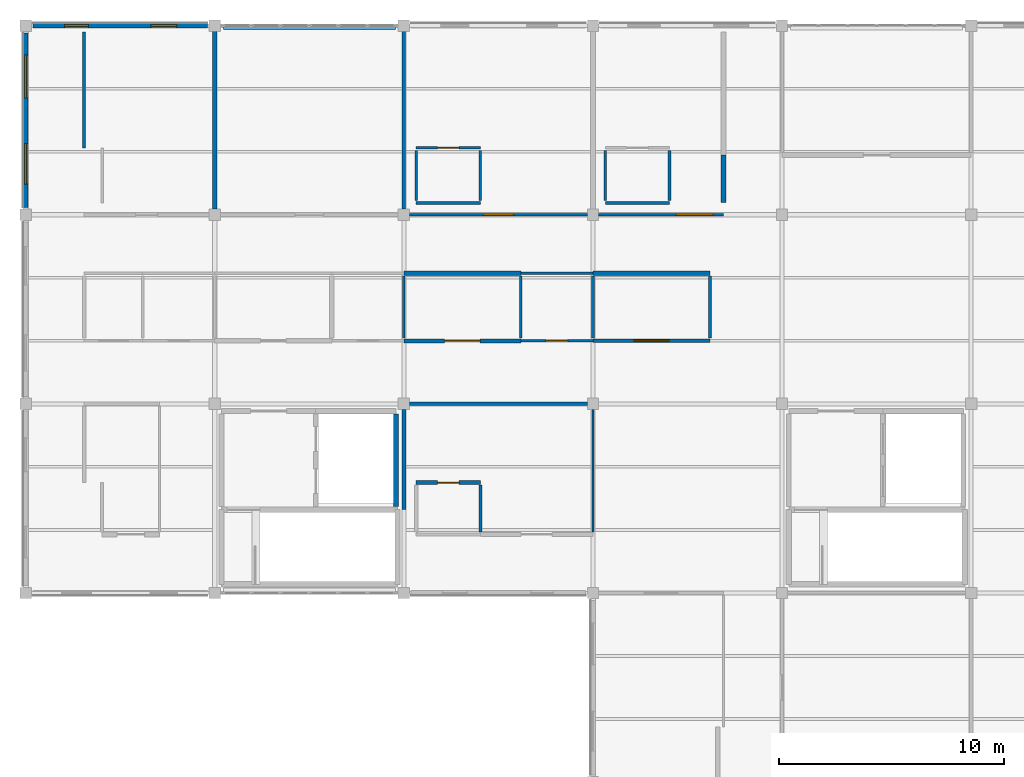
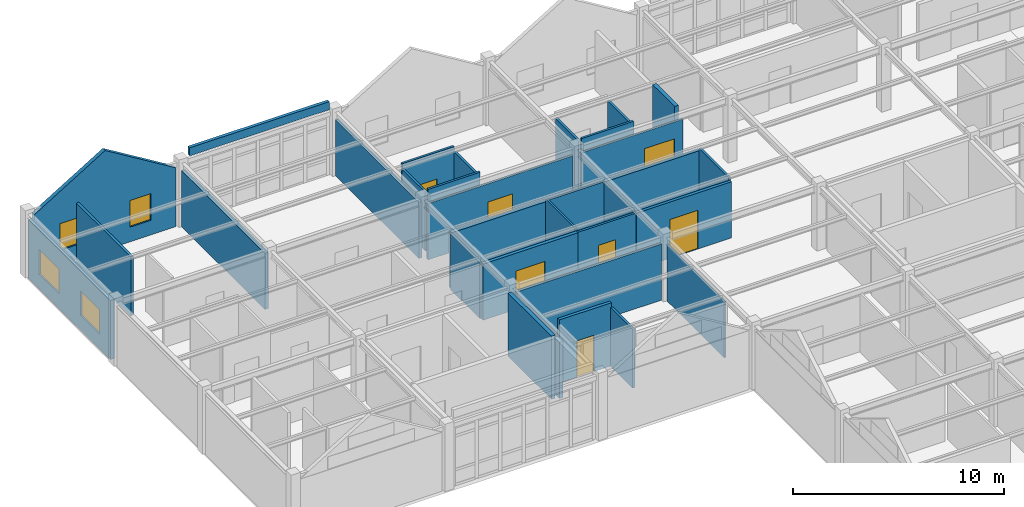
# One storey, part 41 of 45: 32 walls, 7 doors, 4 windows, 11 openings.
"""IFC4 building model written with IfcOpenShell, lengths in metres."""

from ifc_helpers import new_model, si_unit, direction, frame, frame_2d, origin, place, context, subcontext, project, spatial, polyline, rectangle, outline, extrude, material, layer, layer_set, type_object, element, fill, save


model = new_model("IFC4")

# Units and contexts
model_context = context("Model", 3, precision=1e-05, world=origin(), true_north=direction((0.0, 1.0)))
body_context = subcontext(model_context, "Body", "Model", "MODEL_VIEW")
ifc_project = project(units=[si_unit("LENGTHUNIT", "METRE"), si_unit("AREAUNIT", "SQUARE_METRE"), si_unit("VOLUMEUNIT", "CUBIC_METRE"), si_unit("PLANEANGLEUNIT", "RADIAN"), si_unit("MASSUNIT", "GRAM", prefix="KILO")], contexts=[model_context])

# Site, building, storey
site_placement = place(None, origin())
site = spatial("IfcSite", under=ifc_project, at=site_placement, CompositionType="ELEMENT")
building_placement = place(site_placement, origin())
building = spatial("IfcBuilding", under=site, at=building_placement, Name="Bramfleet General Hospital", CompositionType="ELEMENT")
storey_placement = place(building_placement, frame((0.0, 0.0, 30.300048828125)))
storey = spatial("IfcBuildingStorey", under=building, at=storey_placement, Name="L07", CompositionType="ELEMENT", Elevation=30.300048828125)

# Wall, openings, windows
ifc_material_1 = material(Name="Structural timber GL28h", Category="wood")
ifc_layer_1 = layer(ifc_material_1, 0.219970703125, Name="WT-EW-10")
ifc_layer_set_1 = layer_set([ifc_layer_1], Name="Structural timber GL28h")
wall_type_1 = type_object("IfcWallType", Name="WT-EW-10", PredefinedType="SOLIDWALL", material=ifc_layer_set_1)
wall_1_placement = place(storey_placement, frame((67.199951171875, 109.52490234375, 0.0), z_axis=(0.0, 0.0, 1.0), x_axis=(0.0, 1.0, 0.0)))
wall_1 = element("IfcWall", 1, at=wall_1_placement, inside=storey, type_object=wall_type_1, Name="L07 Exterior Wall 435", PredefinedType="SOLIDWALL", context=body_context, shape_type="SweptSolid", body=[
    extrude(rectangle(XDim=7.75, YDim=0.219970703125, at=frame_2d((3.875, 0.0))), origin(), (0.0, 0.0, 1.0), 3.419921875),
])
opening_1_placement = place(wall_1_placement, frame((1.03759765625, 0.0, 0.85009765625)))
opening_1 = element("IfcOpeningElement", 2, at=opening_1_placement, cuts=wall_1, Name="Opening W-19", PredefinedType="OPENING", context=body_context, shape_type="SweptSolid", body=[
    extrude(rectangle(XDim=1.800048828125, YDim=1.419921875, at=frame_2d((0.89990234375, 0.7099609375))), frame((0.0, 0.119873046875, 0.0), z_axis=(0.0, -1.0, 0.0), x_axis=(1.0, 0.0, 0.0)), (0.0, 0.0, 1.0), 0.239990234375),
])
opening_2_placement = place(wall_1_placement, frame((4.862548828125, 0.0, 0.85009765625)))
opening_2 = element("IfcOpeningElement", 3, at=opening_2_placement, cuts=wall_1, Name="Opening W-20", PredefinedType="OPENING", context=body_context, shape_type="SweptSolid", body=[
    extrude(rectangle(XDim=1.89990234375, YDim=1.419921875, at=frame_2d((0.949951171875, 0.7099609375))), frame((0.0, 0.119873046875, 0.0), z_axis=(0.0, -1.0, 0.0), x_axis=(1.0, 0.0, 0.0)), (0.0, 0.0, 1.0), 0.239990234375),
])
ifc_material_2 = material(Name="Anodised aluminium and low-E triple glazing", Category="aluminium")
window_type_1 = type_object("IfcWindowType", Name="WIN-W-19", PartitioningType="SINGLE_PANEL", PredefinedType="WINDOW", material=ifc_material_2)
window_1_placement = place(opening_1_placement, origin())
window_1 = element("IfcWindow", 4, at=window_1_placement, inside=storey, type_object=window_type_1, Name="L07 Facade Window WIN-L07-435-1", OverallHeight=1.419921875, OverallWidth=1.800048828125, PartitioningType="SINGLE_PANEL", PredefinedType="WINDOW", context=body_context, shape_type="SweptSolid", body=[
    extrude(rectangle(XDim=1.800048828125, YDim=1.419921875, at=frame_2d((0.89990234375, 0.7099609375))), frame((0.0, 0.030029296875, 0.0), z_axis=(0.0, -1.0, 0.0), x_axis=(1.0, 0.0, 0.0)), (0.0, 0.0, 1.0), 0.06005859375),
])
fill(opening_1, window_1)
window_type_2 = type_object("IfcWindowType", Name="WIN-W-20", PartitioningType="SINGLE_PANEL", PredefinedType="WINDOW", material=ifc_material_2)
window_2_placement = place(opening_2_placement, origin())
window_2 = element("IfcWindow", 5, at=window_2_placement, inside=storey, type_object=window_type_2, Name="L07 Facade Window WIN-L07-435-2", OverallHeight=1.419921875, OverallWidth=1.89990234375, PartitioningType="SINGLE_PANEL", PredefinedType="WINDOW", context=body_context, shape_type="SweptSolid", body=[
    extrude(rectangle(XDim=1.89990234375, YDim=1.419921875, at=frame_2d((0.949951171875, 0.7099609375))), frame((0.0, 0.030029296875, 0.0), z_axis=(0.0, -1.0, 0.0), x_axis=(1.0, 0.0, 0.0)), (0.0, 0.0, 1.0), 0.06005859375),
])
fill(opening_2, window_2)

wall_2_placement = place(storey_placement, frame((67.52490234375, 117.60009765625, 0.0), z_axis=(0.0, 0.0, 1.0), x_axis=(1.0, 0.0, 0.0)))
wall_2 = element("IfcWall", 6, at=wall_2_placement, inside=storey, type_object=wall_type_1, Name="L07 Exterior Wall 436", PredefinedType="SOLIDWALL", context=body_context, shape_type="SweptSolid", body=[
    extrude(outline(polyline([(0.0, 0.0), (7.75, 0.0), (7.75, 3.39990234375), (3.875, 5.76025390625), (0.0, 3.39990234375), (0.0, 0.0)])), frame((0.0, 0.10986328125, 0.0), z_axis=(0.0, -1.0, 0.0), x_axis=(1.0, 0.0, 0.0)), (0.0, 0.0, 1.0), 0.219970703125),
])
opening_3_placement = place(wall_2_placement, frame((1.41259765625, 0.0, 0.85009765625)))
opening_3 = element("IfcOpeningElement", 7, at=opening_3_placement, cuts=wall_2, Name="Opening W-21", PredefinedType="OPENING", context=body_context, shape_type="SweptSolid", body=[
    extrude(rectangle(XDim=1.050048828125, YDim=1.5400390625, at=frame_2d((0.52490234375, 0.77001953125))), frame((0.0, 0.119873046875, 0.0), z_axis=(0.0, -1.0, 0.0), x_axis=(1.0, 0.0, 0.0)), (0.0, 0.0, 1.0), 0.239990234375),
])
opening_4_placement = place(wall_2_placement, frame((5.237548828125, 0.0, 0.85009765625)))
opening_4 = element("IfcOpeningElement", 8, at=opening_4_placement, cuts=wall_2, Name="Opening W-22", PredefinedType="OPENING", context=body_context, shape_type="SweptSolid", body=[
    extrude(rectangle(XDim=1.14990234375, YDim=1.5400390625, at=frame_2d((0.574951171875, 0.77001953125))), frame((0.0, 0.119873046875, 0.0), z_axis=(0.0, -1.0, 0.0), x_axis=(1.0, 0.0, 0.0)), (0.0, 0.0, 1.0), 0.239990234375),
])
window_type_3 = type_object("IfcWindowType", Name="WIN-W-21", PartitioningType="SINGLE_PANEL", PredefinedType="WINDOW", material=ifc_material_2)
window_3_placement = place(opening_3_placement, origin())
window_3 = element("IfcWindow", 9, at=window_3_placement, inside=storey, type_object=window_type_3, Name="L07 Facade Window WIN-L07-436-1", OverallHeight=1.5400390625, OverallWidth=1.050048828125, PartitioningType="SINGLE_PANEL", PredefinedType="WINDOW", context=body_context, shape_type="SweptSolid", body=[
    extrude(rectangle(XDim=1.050048828125, YDim=1.5400390625, at=frame_2d((0.52490234375, 0.77001953125))), frame((0.0, 0.030029296875, 0.0), z_axis=(0.0, -1.0, 0.0), x_axis=(1.0, 0.0, 0.0)), (0.0, 0.0, 1.0), 0.06005859375),
])
fill(opening_3, window_3)
window_type_4 = type_object("IfcWindowType", Name="WIN-W-22", PartitioningType="SINGLE_PANEL", PredefinedType="WINDOW", material=ifc_material_2)
window_4_placement = place(opening_4_placement, origin())
window_4 = element("IfcWindow", 10, at=window_4_placement, inside=storey, type_object=window_type_4, Name="L07 Facade Window WIN-L07-436-2", OverallHeight=1.5400390625, OverallWidth=1.14990234375, PartitioningType="SINGLE_PANEL", PredefinedType="WINDOW", context=body_context, shape_type="SweptSolid", body=[
    extrude(rectangle(XDim=1.14990234375, YDim=1.5400390625, at=frame_2d((0.574951171875, 0.77001953125))), frame((0.0, 0.030029296875, 0.0), z_axis=(0.0, -1.0, 0.0), x_axis=(1.0, 0.0, 0.0)), (0.0, 0.0, 1.0), 0.06005859375),
])
fill(opening_4, window_4)

# Walls
ifc_material_3 = material(Name="Concrete C35/45", Category="concrete")
ifc_layer_2 = layer(ifc_material_3, 0.219970703125, Name="WT-IW-01")
ifc_layer_set_2 = layer_set([ifc_layer_2], Name="Concrete C35/45")
wall_type_2 = type_object("IfcWallType", Name="WT-IW-01", PredefinedType="PARTITIONING", material=ifc_layer_set_2)
wall_3_placement = place(storey_placement, frame((84.0, 106.60009765625, 0.0), z_axis=(0.0, 0.0, 1.0), x_axis=(1.0, 0.0, 0.0)))
element("IfcWall", 11, at=wall_3_placement, inside=storey, type_object=wall_type_2, Name="L07 Interior Partition IW-L07-4225", PredefinedType="PARTITIONING", context=body_context, shape_type="SweptSolid", body=[
    extrude(rectangle(XDim=5.199951171875, YDim=0.219970703125, at=frame_2d((2.60009765625, 0.0))), origin(), (0.0, 0.0, 1.0), 3.25),
])
wall_4_placement = place(storey_placement, frame((98.199951171875, 109.75, 0.0), z_axis=(0.0, 0.0, 1.0), x_axis=(0.0, 1.0, 0.0)))
element("IfcWall", 12, at=wall_4_placement, inside=storey, type_object=wall_type_2, Name="L07 Interior Partition IW-L07-4285", PredefinedType="PARTITIONING", context=body_context, shape_type="SweptSolid", body=[
    extrude(rectangle(XDim=2.10009765625, YDim=0.219970703125, at=frame_2d((1.050048828125, 0.0))), origin(), (0.0, 0.0, 1.0), 3.64990234375),
])
ifc_layer_3 = layer(ifc_material_3, 0.205078125, Name="WT-IW-02")
ifc_layer_set_3 = layer_set([ifc_layer_3], Name="Concrete C35/45")
wall_type_3 = type_object("IfcWallType", Name="WT-IW-02", PredefinedType="PARTITIONING", material=ifc_layer_set_3)
wall_5_placement = place(storey_placement, frame((83.64990234375, 96.239990234375, 0.0), z_axis=(0.0, 0.0, 1.0), x_axis=(0.0, 1.0, 0.0)))
element("IfcWall", 13, at=wall_5_placement, inside=storey, type_object=wall_type_3, Name="L07 C5 Lift Shaft East Wall", PredefinedType="PARTITIONING", context=body_context, shape_type="SweptSolid", body=[
    extrude(rectangle(XDim=4.1201171875, YDim=0.205078125, at=frame_2d((2.06005859375, 0.0))), origin(), (0.0, 0.0, 1.0), 3.64990234375),
])
wall_6_placement = place(storey_placement, frame((75.60009765625, 109.445068359375, 0.0), z_axis=(0.0, 0.0, 1.0), x_axis=(0.0, 1.0, 0.0)))
element("IfcWall", 14, at=wall_6_placement, inside=storey, type_object=wall_type_3, Name="L07 Interior Partition IW-L07-4250", PredefinedType="PARTITIONING", context=body_context, shape_type="SweptSolid", body=[
    extrude(rectangle(XDim=7.909912109375, YDim=0.205078125, at=frame_2d((3.955078125, 0.0))), origin(), (0.0, 0.0, 1.0), 3.25),
])
ifc_layer_4 = layer(ifc_material_3, 0.18994140625, Name="WT-IW-03")
ifc_layer_set_4 = layer_set([ifc_layer_4], Name="Concrete C35/45")
wall_type_4 = type_object("IfcWallType", Name="WT-IW-03", PredefinedType="PARTITIONING", material=ifc_layer_set_4)
wall_7_placement = place(storey_placement, frame((92.39990234375, 106.60009765625, 0.0), z_axis=(0.0, 0.0, 1.0), x_axis=(1.0, 0.0, 0.0)))
element("IfcWall", 15, at=wall_7_placement, inside=storey, type_object=wall_type_4, Name="L07 Interior Partition IW-L07-4227", PredefinedType="PARTITIONING", context=body_context, shape_type="SweptSolid", body=[
    extrude(rectangle(XDim=5.2001953125, YDim=0.18994140625, at=frame_2d((2.60009765625, 0.0))), origin(), (0.0, 0.0, 1.0), 3.25),
])

# Wall, opening, door
ifc_layer_5 = layer(ifc_material_3, 0.179931640625, Name="WT-IW-04")
ifc_layer_set_5 = layer_set([ifc_layer_5], Name="Concrete C35/45")
wall_type_5 = type_object("IfcWallType", Name="WT-IW-04", PredefinedType="PARTITIONING", material=ifc_layer_set_5)
wall_8_placement = place(storey_placement, frame((84.0, 103.60009765625, 0.0), z_axis=(0.0, 0.0, 1.0), x_axis=(1.0, 0.0, 0.0)))
wall_8 = element("IfcWall", 16, at=wall_8_placement, inside=storey, type_object=wall_type_5, Name="L07 Interior Partition IW-L07-4216", PredefinedType="PARTITIONING", context=body_context, shape_type="SweptSolid", body=[
    extrude(rectangle(XDim=5.199951171875, YDim=0.179931640625, at=frame_2d((2.60009765625, 0.0))), origin(), (0.0, 0.0, 1.0), 3.25),
])
opening_5_placement = place(wall_8_placement, frame((1.81005859375, 0.0, 0.0)))
opening_5 = element("IfcOpeningElement", 17, at=opening_5_placement, cuts=wall_8, Name="Opening D1536", PredefinedType="OPENING", context=body_context, shape_type="SweptSolid", body=[
    extrude(rectangle(XDim=1.580078125, YDim=2.219970703125, at=frame_2d((0.7900390625, 1.10986328125))), frame((0.0, 0.099853515625, 0.0), z_axis=(0.0, -1.0, 0.0), x_axis=(1.0, 0.0, 0.0)), (0.0, 0.0, 1.0), 0.199951171875),
])
ifc_material_4 = material(Name="Stainless steel and acoustic timber leaf", Category="steel")
door_type_1 = type_object("IfcDoorType", Name="DR-D-32", OperationType="NOTDEFINED", PredefinedType="DOOR", material=ifc_material_4)
door_1_placement = place(opening_5_placement, origin())
door_1 = element("IfcDoor", 18, at=door_1_placement, inside=storey, type_object=door_type_1, Name="Flat-Link Nurse Station and Medication Hub L07-1012 Door D1536", OperationType="DOUBLE_SWING_LEFT", OverallHeight=2.219970703125, OverallWidth=1.580078125, PredefinedType="DOOR", context=body_context, shape_type="SweptSolid", body=[
    extrude(rectangle(XDim=1.580078125, YDim=2.219970703125, at=frame_2d((0.7900390625, 1.10986328125))), frame((0.0, 0.02490234375, 0.0), z_axis=(0.0, -1.0, 0.0), x_axis=(1.0, 0.0, 0.0)), (0.0, 0.0, 1.0), 0.050048828125),
])
fill(opening_5, door_1)

# Wall
wall_9_placement = place(storey_placement, frame((84.0, 96.10009765625, 0.0), z_axis=(0.0, 0.0, 1.0), x_axis=(0.0, 1.0, 0.0)))
element("IfcWall", 19, at=wall_9_placement, inside=storey, type_object=wall_type_5, Name="L07 Interior Partition IW-L07-4252", PredefinedType="PARTITIONING", context=body_context, shape_type="SweptSolid", body=[
    extrude(rectangle(XDim=4.454833984375, YDim=0.179931640625, at=frame_2d((2.2275390625, 0.0))), origin(), (0.0, 0.0, 1.0), 3.25),
])

# Wall, opening, door
ifc_material_5 = material(Name="Gypsum plasterboard on acoustic steel studs", Category="steel")
ifc_layer_6 = layer(ifc_material_5, 0.169921875, Name="WT-IW-05")
ifc_layer_set_6 = layer_set([ifc_layer_6], Name="Gypsum plasterboard on acoustic steel studs")
wall_type_6 = type_object("IfcWallType", Name="WT-IW-05", PredefinedType="PARTITIONING", material=ifc_layer_set_6)
wall_10_placement = place(storey_placement, frame((84.550048828125, 97.300048828125, 0.0), z_axis=(0.0, 0.0, 1.0), x_axis=(1.0, 0.0, 0.0)))
wall_10 = element("IfcWall", 20, at=wall_10_placement, inside=storey, type_object=wall_type_6, Name="L07 Interior Partition IW-L07-4205", PredefinedType="PARTITIONING", context=body_context, shape_type="SweptSolid", body=[
    extrude(rectangle(XDim=2.849853515625, YDim=0.169921875, at=frame_2d((1.4248046875, 0.0))), origin(), (0.0, 0.0, 1.0), 3.64990234375),
])
opening_6_placement = place(wall_10_placement, frame((0.949951171875, 0.0, 0.0)))
opening_6 = element("IfcOpeningElement", 21, at=opening_6_placement, cuts=wall_10, Name="Opening D1535", PredefinedType="OPENING", context=body_context, shape_type="SweptSolid", body=[
    extrude(rectangle(XDim=0.949951171875, YDim=2.10009765625, at=frame_2d((0.47509765625, 1.050048828125))), frame((0.0, 0.094970703125, 0.0), z_axis=(0.0, -1.0, 0.0), x_axis=(1.0, 0.0, 0.0)), (0.0, 0.0, 1.0), 0.18994140625),
])
door_type_2 = type_object("IfcDoorType", Name="DR-D-10", OperationType="NOTDEFINED", PredefinedType="DOOR", material=ifc_material_4)
door_2_placement = place(opening_6_placement, origin())
door_2 = element("IfcDoor", 22, at=door_2_placement, inside=storey, type_object=door_type_2, Name="Patient House PH-02 En-Suite Bathroom 1011 Door D1535", OperationType="SINGLE_SWING_LEFT", OverallHeight=2.10009765625, OverallWidth=0.949951171875, PredefinedType="DOOR", context=body_context, shape_type="SweptSolid", body=[
    extrude(rectangle(XDim=0.949951171875, YDim=2.10009765625, at=frame_2d((0.47509765625, 1.050048828125))), frame((0.0, 0.02490234375, 0.0), z_axis=(0.0, -1.0, 0.0), x_axis=(1.0, 0.0, 0.0)), (0.0, 0.0, 1.0), 0.050048828125),
])
fill(opening_6, door_2)

ifc_layer_7 = layer(ifc_material_5, 0.159912109375, Name="WT-IW-06")
ifc_layer_set_7 = layer_set([ifc_layer_7], Name="Gypsum plasterboard on acoustic steel studs")
wall_type_7 = type_object("IfcWallType", Name="WT-IW-06", PredefinedType="PARTITIONING", material=ifc_layer_set_7)
wall_11_placement = place(storey_placement, frame((92.39990234375, 103.60009765625, 0.0), z_axis=(0.0, 0.0, 1.0), x_axis=(1.0, 0.0, 0.0)))
wall_11 = element("IfcWall", 23, at=wall_11_placement, inside=storey, type_object=wall_type_7, Name="L07 Interior Partition IW-L07-4218", PredefinedType="PARTITIONING", context=body_context, shape_type="SweptSolid", body=[
    extrude(rectangle(XDim=5.2001953125, YDim=0.159912109375, at=frame_2d((2.60009765625, 0.0))), origin(), (0.0, 0.0, 1.0), 3.25),
])
opening_7_placement = place(wall_11_placement, frame((1.830078125, 0.0, 0.0)))
opening_7 = element("IfcOpeningElement", 24, at=opening_7_placement, cuts=wall_11, Name="Opening D1553", PredefinedType="OPENING", context=body_context, shape_type="SweptSolid", body=[
    extrude(rectangle(XDim=1.5400390625, YDim=2.239990234375, at=frame_2d((0.77001953125, 1.1201171875))), frame((0.0, 0.08984375, 0.0), z_axis=(0.0, -1.0, 0.0), x_axis=(1.0, 0.0, 0.0)), (0.0, 0.0, 1.0), 0.179931640625),
])
door_type_3 = type_object("IfcDoorType", Name="DR-D-17", OperationType="NOTDEFINED", PredefinedType="DOOR", material=ifc_material_4)
door_3_placement = place(opening_7_placement, origin())
door_3 = element("IfcDoor", 25, at=door_3_placement, inside=storey, type_object=door_type_3, Name="Flat-Link Nurse Station and Medication Hub L07-1112 Door D1553", OperationType="SINGLE_SWING_RIGHT", OverallHeight=2.239990234375, OverallWidth=1.5400390625, PredefinedType="DOOR", context=body_context, shape_type="SweptSolid", body=[
    extrude(rectangle(XDim=1.5400390625, YDim=2.239990234375, at=frame_2d((0.77001953125, 1.1201171875))), frame((0.0, 0.02490234375, 0.0), z_axis=(0.0, -1.0, 0.0), x_axis=(1.0, 0.0, 0.0)), (0.0, 0.0, 1.0), 0.050048828125),
])
fill(opening_7, door_3)

# Walls
wall_12_placement = place(storey_placement, frame((84.0, 109.445068359375, 0.0), z_axis=(0.0, 0.0, 1.0), x_axis=(0.0, 1.0, 0.0)))
element("IfcWall", 26, at=wall_12_placement, inside=storey, type_object=wall_type_7, Name="L07 Interior Partition IW-L07-4254", PredefinedType="PARTITIONING", context=body_context, shape_type="SweptSolid", body=[
    extrude(rectangle(XDim=7.909912109375, YDim=0.159912109375, at=frame_2d((3.955078125, 0.0))), origin(), (0.0, 0.0, 1.0), 3.25),
])
ifc_layer_8 = layer(ifc_material_5, 0.14990234375, Name="WT-IW-07")
ifc_layer_set_8 = layer_set([ifc_layer_8], Name="Gypsum plasterboard on acoustic steel studs")
wall_type_8 = type_object("IfcWallType", Name="WT-IW-07", PredefinedType="PARTITIONING", material=ifc_layer_set_8)
wall_13_placement = place(storey_placement, frame((84.2451171875, 100.800048828125, 0.0), z_axis=(0.0, 0.0, 1.0), x_axis=(1.0, 0.0, 0.0)))
element("IfcWall", 27, at=wall_13_placement, inside=storey, type_object=wall_type_8, Name="L07 Interior Partition IW-L07-4207", PredefinedType="PARTITIONING", context=body_context, shape_type="SweptSolid", body=[
    extrude(rectangle(XDim=7.909912109375, YDim=0.14990234375, at=frame_2d((3.955078125, 0.0))), origin(), (0.0, 0.0, 1.0), 3.25),
])
ifc_layer_9 = layer(ifc_material_5, 0.139892578125, Name="WT-IW-08")
ifc_layer_set_9 = layer_set([ifc_layer_9], Name="Gypsum plasterboard on acoustic steel studs")
wall_type_9 = type_object("IfcWallType", Name="WT-IW-08", PredefinedType="PARTITIONING", material=ifc_layer_set_9)
wall_14_placement = place(storey_placement, frame((69.800048828125, 112.169921875, 0.0), z_axis=(0.0, 0.0, 1.0), x_axis=(0.0, 1.0, 0.0)))
element("IfcWall", 28, at=wall_14_placement, inside=storey, type_object=wall_type_9, Name="L07 Interior Partition IW-L07-4244", PredefinedType="PARTITIONING", context=body_context, shape_type="SweptSolid", body=[
    extrude(rectangle(XDim=5.150146484375, YDim=0.139892578125, at=frame_2d((2.5751953125, 0.0))), origin(), (0.0, 0.0, 1.0), 3.409912109375),
])

# Wall, opening, door
ifc_layer_10 = layer(ifc_material_5, 0.1298828125, Name="WT-IW-09")
ifc_layer_set_10 = layer_set([ifc_layer_10], Name="Gypsum plasterboard on acoustic steel studs")
wall_type_10 = type_object("IfcWallType", Name="WT-IW-09", PredefinedType="PARTITIONING", material=ifc_layer_set_10)
wall_15_placement = place(storey_placement, frame((84.2451171875, 109.199951171875, 0.0), z_axis=(0.0, 0.0, 1.0), x_axis=(1.0, 0.0, 0.0)))
wall_15 = element("IfcWall", 29, at=wall_15_placement, inside=storey, type_object=wall_type_10, Name="L07 Interior Partition IW-L07-4233", PredefinedType="PARTITIONING", context=body_context, shape_type="SweptSolid", body=[
    extrude(rectangle(XDim=7.909912109375, YDim=0.1298828125, at=frame_2d((3.955078125, 0.0))), origin(), (0.0, 0.0, 1.0), 3.25),
])
opening_8_placement = place(wall_15_placement, frame((3.280029296875, 0.0, 0.0)))
opening_8 = element("IfcOpeningElement", 30, at=opening_8_placement, cuts=wall_15, Name="Opening D1538", PredefinedType="OPENING", context=body_context, shape_type="SweptSolid", body=[
    extrude(rectangle(XDim=1.35009765625, YDim=2.199951171875, at=frame_2d((0.675048828125, 1.10009765625))), frame((0.0, 0.074951171875, 0.0), z_axis=(0.0, -1.0, 0.0), x_axis=(1.0, 0.0, 0.0)), (0.0, 0.0, 1.0), 0.14990234375),
])
door_type_4 = type_object("IfcDoorType", Name="DR-D-02", OperationType="NOTDEFINED", PredefinedType="DOOR", material=ifc_material_4)
door_4_placement = place(opening_8_placement, origin())
door_4 = element("IfcDoor", 31, at=door_4_placement, inside=storey, type_object=door_type_4, Name="Gabled Patient House PH-02 Bedroom 1013 Door D1538", OperationType="SINGLE_SWING_LEFT", OverallHeight=2.199951171875, OverallWidth=1.35009765625, PredefinedType="DOOR", context=body_context, shape_type="SweptSolid", body=[
    extrude(rectangle(XDim=1.35009765625, YDim=2.199951171875, at=frame_2d((0.675048828125, 1.10009765625))), frame((0.0, 0.02490234375, 0.0), z_axis=(0.0, -1.0, 0.0), x_axis=(1.0, 0.0, 0.0)), (0.0, 0.0, 1.0), 0.050048828125),
])
fill(opening_8, door_4)

# Wall
wall_16_placement = place(storey_placement, frame((87.39990234375, 95.114990234375, 0.0), z_axis=(0.0, 0.0, 1.0), x_axis=(0.0, 1.0, 0.0)))
element("IfcWall", 32, at=wall_16_placement, inside=storey, type_object=wall_type_10, Name="L07 Interior Partition IW-L07-4257", PredefinedType="PARTITIONING", context=body_context, shape_type="SweptSolid", body=[
    extrude(rectangle(XDim=2.070068359375, YDim=0.1298828125, at=frame_2d((1.03515625, 0.0))), origin(), (0.0, 0.0, 1.0), 3.409912109375),
])

# Wall, opening, door
ifc_layer_11 = layer(ifc_material_5, 0.1201171875, Name="WT-IW-10")
ifc_layer_set_11 = layer_set([ifc_layer_11], Name="Gypsum plasterboard on acoustic steel studs")
wall_type_11 = type_object("IfcWallType", Name="WT-IW-10", PredefinedType="PARTITIONING", material=ifc_layer_set_11)
wall_17_placement = place(storey_placement, frame((89.199951171875, 103.60009765625, 0.0), z_axis=(0.0, 0.0, 1.0), x_axis=(1.0, 0.0, 0.0)))
wall_17 = element("IfcWall", 33, at=wall_17_placement, inside=storey, type_object=wall_type_11, Name="L07 Interior Partition IW-L07-4217", PredefinedType="PARTITIONING", context=body_context, shape_type="SweptSolid", body=[
    extrude(rectangle(XDim=3.199951171875, YDim=0.1201171875, at=frame_2d((1.60009765625, 0.0))), origin(), (0.0, 0.0, 1.0), 3.25),
])
opening_9_placement = place(wall_17_placement, frame((1.125, 0.0, 0.0)))
opening_9 = element("IfcOpeningElement", 34, at=opening_9_placement, cuts=wall_17, Name="Opening D1537", PredefinedType="OPENING", context=body_context, shape_type="SweptSolid", body=[
    extrude(rectangle(XDim=0.949951171875, YDim=2.10009765625, at=frame_2d((0.47509765625, 1.050048828125))), frame((0.0, 0.070068359375, 0.0), z_axis=(0.0, -1.0, 0.0), x_axis=(1.0, 0.0, 0.0)), (0.0, 0.0, 1.0), 0.14013671875),
])
door_5_placement = place(opening_9_placement, origin())
door_5 = element("IfcDoor", 35, at=door_5_placement, inside=storey, type_object=door_type_2, Name="Level 07 Accessible and Staff WC 1012 Door D1537", OperationType="SINGLE_SWING_LEFT", OverallHeight=2.10009765625, OverallWidth=0.949951171875, PredefinedType="DOOR", context=body_context, shape_type="SweptSolid", body=[
    extrude(rectangle(XDim=0.949951171875, YDim=2.10009765625, at=frame_2d((0.47509765625, 1.050048828125))), frame((0.0, 0.02490234375, 0.0), z_axis=(0.0, -1.0, 0.0), x_axis=(1.0, 0.0, 0.0)), (0.0, 0.0, 1.0), 0.050048828125),
])
fill(opening_9, door_5)

# Wall
wall_18_placement = place(storey_placement, frame((89.199951171875, 106.60009765625, 0.0), z_axis=(0.0, 0.0, 1.0), x_axis=(1.0, 0.0, 0.0)))
element("IfcWall", 36, at=wall_18_placement, inside=storey, type_object=wall_type_11, Name="L07 Interior Partition IW-L07-4226", PredefinedType="PARTITIONING", context=body_context, shape_type="SweptSolid", body=[
    extrude(rectangle(XDim=3.199951171875, YDim=0.1201171875, at=frame_2d((1.60009765625, 0.0))), origin(), (0.0, 0.0, 1.0), 3.25),
])

# Wall, opening, door
wall_19_placement = place(storey_placement, frame((92.64501953125, 109.199951171875, 0.0), z_axis=(0.0, 0.0, 1.0), x_axis=(1.0, 0.0, 0.0)))
wall_19 = element("IfcWall", 37, at=wall_19_placement, inside=storey, type_object=wall_type_11, Name="L07 Interior Partition IW-L07-4234", PredefinedType="PARTITIONING", context=body_context, shape_type="SweptSolid", body=[
    extrude(rectangle(XDim=5.554931640625, YDim=0.1201171875, at=frame_2d((2.77734375, 0.0))), origin(), (0.0, 0.0, 1.0), 3.25),
])
opening_10_placement = place(wall_19_placement, frame((3.44580078125, 0.0, 0.0)))
opening_10 = element("IfcOpeningElement", 38, at=opening_10_placement, cuts=wall_19, Name="Opening D1554", PredefinedType="OPENING", context=body_context, shape_type="SweptSolid", body=[
    extrude(rectangle(XDim=1.639892578125, YDim=2.280029296875, at=frame_2d((0.81982421875, 1.14013671875))), frame((0.0, 0.070068359375, 0.0), z_axis=(0.0, -1.0, 0.0), x_axis=(1.0, 0.0, 0.0)), (0.0, 0.0, 1.0), 0.14013671875),
])
door_type_5 = type_object("IfcDoorType", Name="DR-D-18", OperationType="NOTDEFINED", PredefinedType="DOOR", material=ifc_material_4)
door_6_placement = place(opening_10_placement, origin())
door_6 = element("IfcDoor", 39, at=door_6_placement, inside=storey, type_object=door_type_5, Name="Gabled Patient House PH-03 Bedroom 1113 Door D1554", OperationType="DOUBLE_SWING_LEFT", OverallHeight=2.280029296875, OverallWidth=1.639892578125, PredefinedType="DOOR", context=body_context, shape_type="SweptSolid", body=[
    extrude(rectangle(XDim=1.639892578125, YDim=2.280029296875, at=frame_2d((0.81982421875, 1.14013671875))), frame((0.0, 0.02490234375, 0.0), z_axis=(0.0, -1.0, 0.0), x_axis=(1.0, 0.0, 0.0)), (0.0, 0.0, 1.0), 0.050048828125),
])
fill(opening_10, door_6)

# Walls
wall_20_placement = place(storey_placement, frame((84.550048828125, 109.719970703125, 0.0), z_axis=(0.0, 0.0, 1.0), x_axis=(1.0, 0.0, 0.0)))
element("IfcWall", 40, at=wall_20_placement, inside=storey, type_object=wall_type_11, Name="L07 Interior Partition IW-L07-4235", PredefinedType="PARTITIONING", context=body_context, shape_type="SweptSolid", body=[
    extrude(rectangle(XDim=2.849853515625, YDim=0.1201171875, at=frame_2d((1.4248046875, 0.0))), origin(), (0.0, 0.0, 1.0), 3.64990234375),
])
wall_21_placement = place(storey_placement, frame((92.949951171875, 109.719970703125, 0.0), z_axis=(0.0, 0.0, 1.0), x_axis=(1.0, 0.0, 0.0)))
element("IfcWall", 41, at=wall_21_placement, inside=storey, type_object=wall_type_11, Name="L07 Interior Partition IW-L07-4236", PredefinedType="PARTITIONING", context=body_context, shape_type="SweptSolid", body=[
    extrude(rectangle(XDim=2.85009765625, YDim=0.1201171875, at=frame_2d((1.425048828125, 0.0))), origin(), (0.0, 0.0, 1.0), 3.64990234375),
])

# Wall, opening, door
wall_22_placement = place(storey_placement, frame((84.550048828125, 112.169921875, 0.0), z_axis=(0.0, 0.0, 1.0), x_axis=(1.0, 0.0, 0.0)))
wall_22 = element("IfcWall", 42, at=wall_22_placement, inside=storey, type_object=wall_type_11, Name="L07 Interior Partition IW-L07-4240", PredefinedType="PARTITIONING", context=body_context, shape_type="SweptSolid", body=[
    extrude(rectangle(XDim=2.849853515625, YDim=0.1201171875, at=frame_2d((1.4248046875, 0.0))), origin(), (0.0, 0.0, 1.0), 3.64990234375),
])
opening_11_placement = place(wall_22_placement, frame((0.949951171875, 0.0, 0.0)))
opening_11 = element("IfcOpeningElement", 43, at=opening_11_placement, cuts=wall_22, Name="Opening D1539", PredefinedType="OPENING", context=body_context, shape_type="SweptSolid", body=[
    extrude(rectangle(XDim=0.949951171875, YDim=2.10009765625, at=frame_2d((0.47509765625, 1.050048828125))), frame((0.0, 0.070068359375, 0.0), z_axis=(0.0, -1.0, 0.0), x_axis=(1.0, 0.0, 0.0)), (0.0, 0.0, 1.0), 0.14013671875),
])
door_7_placement = place(opening_11_placement, origin())
door_7 = element("IfcDoor", 44, at=door_7_placement, inside=storey, type_object=door_type_2, Name="Patient House PH-02 En-Suite Bathroom 1013 Door D1539", OperationType="SINGLE_SWING_LEFT", OverallHeight=2.10009765625, OverallWidth=0.949951171875, PredefinedType="DOOR", context=body_context, shape_type="SweptSolid", body=[
    extrude(rectangle(XDim=0.949951171875, YDim=2.10009765625, at=frame_2d((0.47509765625, 1.050048828125))), frame((0.0, 0.02490234375, 0.0), z_axis=(0.0, -1.0, 0.0), x_axis=(1.0, 0.0, 0.0)), (0.0, 0.0, 1.0), 0.050048828125),
])
fill(opening_11, door_7)

# Walls
wall_23_placement = place(storey_placement, frame((84.0, 103.715087890625, 0.0), z_axis=(0.0, 0.0, 1.0), x_axis=(0.0, 1.0, 0.0)))
element("IfcWall", 45, at=wall_23_placement, inside=storey, type_object=wall_type_11, Name="L07 Interior Partition IW-L07-4253", PredefinedType="PARTITIONING", context=body_context, shape_type="SweptSolid", body=[
    extrude(rectangle(XDim=2.77001953125, YDim=0.1201171875, at=frame_2d((1.385009765625, 0.0))), origin(), (0.0, 0.0, 1.0), 3.25),
])
for number, where, z_axis, x_axis, name in (
    (46, (84.550048828125, 109.8349609375, 0.0), (0.0, 0.0, 1.0), (0.0, 1.0, 0.0), "L07 Interior Partition IW-L07-4256"),
    (47, (87.39990234375, 109.8349609375, 0.0), (0.0, 0.0, 1.0), (0.0, 1.0, 0.0), "L07 Interior Partition IW-L07-4258"),
):
    element("IfcWall", number, at=place(storey_placement, frame(where, z_axis=z_axis, x_axis=x_axis)), inside=storey, type_object=wall_type_11, Name=name, PredefinedType="PARTITIONING", context=body_context, shape_type="SweptSolid", body=[
        extrude(rectangle(XDim=2.219970703125, YDim=0.1201171875, at=frame_2d((1.10986328125, 0.0))), origin(), (0.0, 0.0, 1.0), 3.409912109375),
    ])
wall_24_placement = place(storey_placement, frame((92.39990234375, 103.715087890625, 0.0), z_axis=(0.0, 0.0, 1.0), x_axis=(0.0, 1.0, 0.0)))
element("IfcWall", 48, at=wall_24_placement, inside=storey, type_object=wall_type_11, Name="L07 Interior Partition IW-L07-4261", PredefinedType="PARTITIONING", context=body_context, shape_type="SweptSolid", body=[
    extrude(rectangle(XDim=2.77001953125, YDim=0.1201171875, at=frame_2d((1.385009765625, 0.0))), origin(), (0.0, 0.0, 1.0), 3.25),
])
for number, where, z_axis, x_axis, name in (
    (49, (92.949951171875, 109.8349609375, 0.0), (0.0, 0.0, 1.0), (0.0, 1.0, 0.0), "L07 Interior Partition IW-L07-4265"),
    (50, (95.800048828125, 109.8349609375, 0.0), (0.0, 0.0, 1.0), (0.0, 1.0, 0.0), "L07 Interior Partition IW-L07-4268"),
):
    element("IfcWall", number, at=place(storey_placement, frame(where, z_axis=z_axis, x_axis=x_axis)), inside=storey, type_object=wall_type_11, Name=name, PredefinedType="PARTITIONING", context=body_context, shape_type="SweptSolid", body=[
        extrude(rectangle(XDim=2.219970703125, YDim=0.1201171875, at=frame_2d((1.10986328125, 0.0))), origin(), (0.0, 0.0, 1.0), 3.409912109375),
    ])
wall_25_placement = place(storey_placement, frame((97.60009765625, 103.715087890625, 0.0), z_axis=(0.0, 0.0, 1.0), x_axis=(0.0, 1.0, 0.0)))
element("IfcWall", 51, at=wall_25_placement, inside=storey, type_object=wall_type_11, Name="L07 Interior Partition IW-L07-4270", PredefinedType="PARTITIONING", context=body_context, shape_type="SweptSolid", body=[
    extrude(rectangle(XDim=2.77001953125, YDim=0.1201171875, at=frame_2d((1.385009765625, 0.0))), origin(), (0.0, 0.0, 1.0), 3.409912109375),
])
ifc_layer_12 = layer(ifc_material_5, 0.112060546875, Name="WT-IW-11")
ifc_layer_set_12 = layer_set([ifc_layer_12], Name="Gypsum plasterboard on acoustic steel studs")
wall_type_12 = type_object("IfcWallType", Name="WT-IW-11", PredefinedType="PARTITIONING", material=ifc_layer_set_12)
wall_26_placement = place(storey_placement, frame((89.199951171875, 103.715087890625, 0.0), z_axis=(0.0, 0.0, 1.0), x_axis=(0.0, 1.0, 0.0)))
element("IfcWall", 52, at=wall_26_placement, inside=storey, type_object=wall_type_12, Name="L07 Interior Partition IW-L07-4259", PredefinedType="PARTITIONING", context=body_context, shape_type="SweptSolid", body=[
    extrude(rectangle(XDim=2.77001953125, YDim=0.112060546875, at=frame_2d((1.385009765625, 0.0))), origin(), (0.0, 0.0, 1.0), 3.409912109375),
])
ifc_layer_13 = layer(ifc_material_5, 0.10009765625, Name="WT-IW-12")
ifc_layer_set_13 = layer_set([ifc_layer_13], Name="Gypsum plasterboard on acoustic steel studs")
wall_type_13 = type_object("IfcWallType", Name="WT-IW-12", PredefinedType="PARTITIONING", material=ifc_layer_set_13)
wall_27_placement = place(storey_placement, frame((92.39990234375, 95.114990234375, 0.0), z_axis=(0.0, 0.0, 1.0), x_axis=(0.0, 1.0, 0.0)))
element("IfcWall", 53, at=wall_27_placement, inside=storey, type_object=wall_type_13, Name="L07 Interior Partition IW-L07-4260", PredefinedType="PARTITIONING", context=body_context, shape_type="SweptSolid", body=[
    extrude(rectangle(XDim=5.43994140625, YDim=0.10009765625, at=frame_2d((2.719970703125, 0.0))), origin(), (0.0, 0.0, 1.0), 3.25),
])
ifc_material_6 = material(Name="Precast concrete C40/50", Category="concrete")
ifc_layer_14 = layer(ifc_material_6, 0.169921875, Name="WT-PW-03")
ifc_layer_set_14 = layer_set([ifc_layer_14], Name="Precast concrete C40/50")
wall_type_14 = type_object("IfcWallType", Name="WT-PW-03", PredefinedType="PARAPET", material=ifc_layer_set_14)
wall_28_placement = place(storey_placement, frame((75.97998046875, 117.5048828125, 3.8798828125), z_axis=(0.0, 0.0, 1.0), x_axis=(1.0, 0.0, 0.0)))
element("IfcWall", 54, at=wall_28_placement, inside=storey, type_object=wall_type_14, Name="Roof Parapet Wall 108", PredefinedType="PARAPET", context=body_context, shape_type="SweptSolid", body=[
    extrude(rectangle(XDim=7.64013671875, YDim=0.169921875, at=frame_2d((3.820068359375, 0.0))), origin(), (0.0, 0.0, 1.0), 0.469970703125),
])

save(model, "model.ifc")
